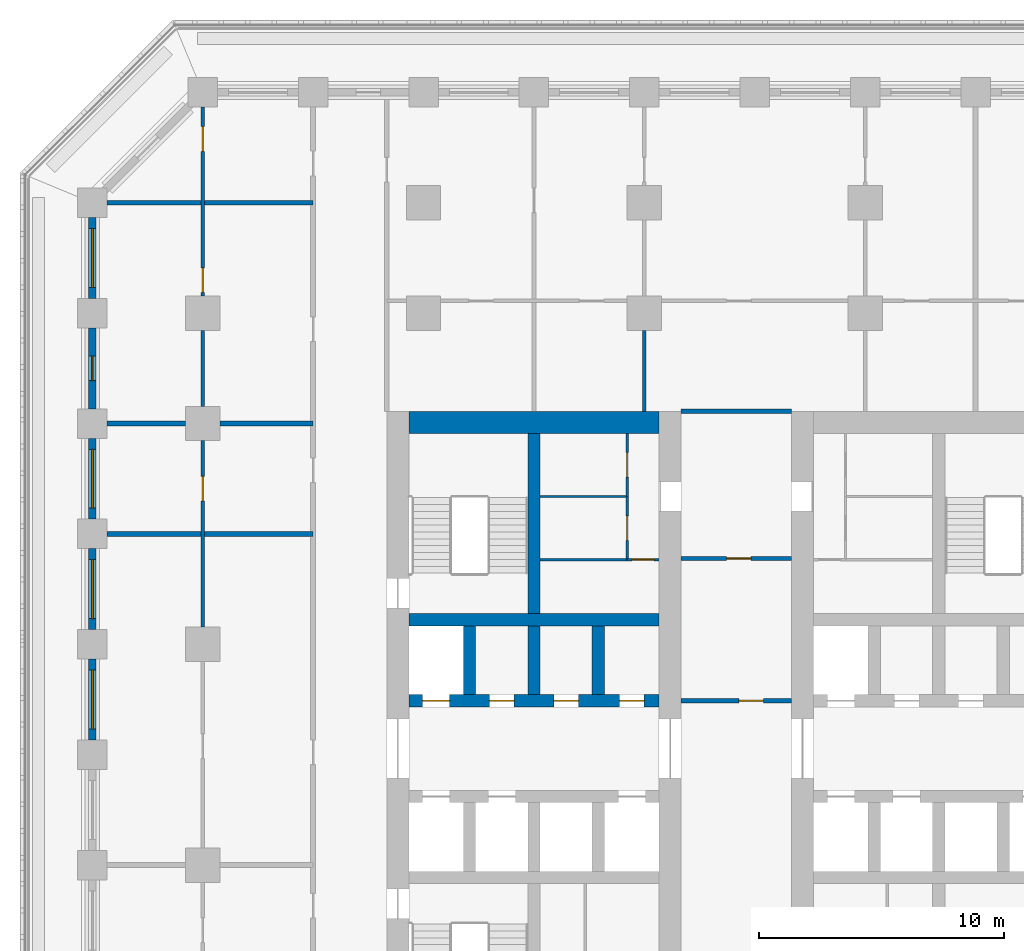
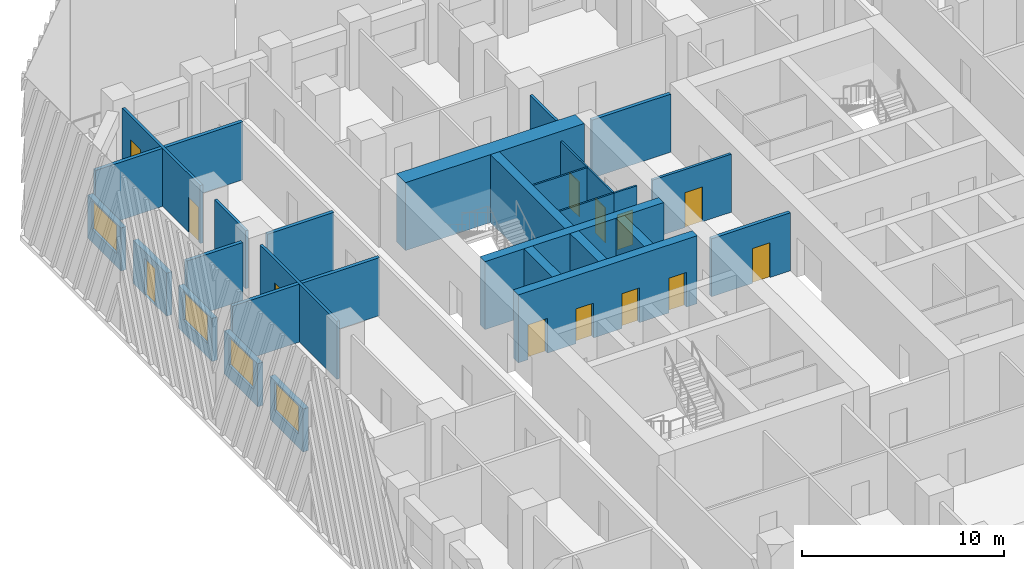
# One storey, part 7 of 20: 28 walls, 13 doors, 4 windows, 17 openings.
"""IFC4 building model written with IfcOpenShell, lengths in metres."""

from ifc_helpers import new_model, si_unit, direction, frame, frame_2d, origin, place, context, subcontext, project, spatial, rectangle, extrude, material, layer, layer_set, type_object, element, fill, save


model = new_model("IFC4")

# Units and contexts
model_context = context("Model", 3, precision=1e-05, world=origin(), true_north=direction((0.0, 1.0)))
body_context = subcontext(model_context, "Body", "Model", "MODEL_VIEW")
ifc_project = project(units=[si_unit("LENGTHUNIT", "METRE"), si_unit("AREAUNIT", "SQUARE_METRE"), si_unit("VOLUMEUNIT", "CUBIC_METRE"), si_unit("PLANEANGLEUNIT", "RADIAN"), si_unit("MASSUNIT", "GRAM", prefix="KILO")], contexts=[model_context])

# Site, building, storey
site_placement = place(None, origin())
site = spatial("IfcSite", under=ifc_project, at=site_placement, CompositionType="ELEMENT")
building_placement = place(site_placement, origin())
building = spatial("IfcBuilding", under=site, at=building_placement, Name="Corbel Stack Research Tower", CompositionType="ELEMENT")
storey_placement = place(building_placement, frame((0.0, 0.0, 106.60009765625)))
storey = spatial("IfcBuildingStorey", under=building, at=storey_placement, Name="L24", CompositionType="ELEMENT", Elevation=106.60009765625)

# Wall, openings, doors
ifc_material_1 = material(Name="Concrete C70/85", Category="concrete")
ifc_layer_1 = layer(ifc_material_1, 0.5)
ifc_layer_set_1 = layer_set([ifc_layer_1], Name="Concrete C70/85")
wall_type_1 = type_object("IfcWallType", Name="CW-500-70", PredefinedType="SHEAR", material=ifc_layer_set_1)
wall_1_placement = place(storey_placement, frame((-9.60009765625, 6.699951171875, 0.0), z_axis=(0.0, 0.0, 1.0), x_axis=(1.0, 0.0, 0.0)))
wall_1 = element("IfcWall", 1, at=wall_1_placement, inside=storey, type_object=wall_type_1, Name="West core wall, lobby north L24", PredefinedType="SHEAR", context=body_context, shape_type="SweptSolid", body=[
    extrude(rectangle(XDim=10.2001953125, YDim=0.5, at=frame_2d((5.10009765625, 0.0))), origin(), (0.0, 0.0, 1.0), 4.099853515625),
])
opening_1_placement = place(wall_1_placement, frame((0.5625, 0.0, 0.0)))
opening_1 = element("IfcOpeningElement", 2, at=opening_1_placement, cuts=wall_1, Name="Opening LD-LR2", PredefinedType="OPENING", context=body_context, shape_type="SweptSolid", body=[
    extrude(rectangle(XDim=1.10009765625, YDim=2.10009765625, at=frame_2d((0.550048828125, 1.050048828125))), frame((0.0, 0.260009765625, 0.0), z_axis=(0.0, -1.0, 0.0), x_axis=(1.0, 0.0, 0.0)), (0.0, 0.0, 1.0), 0.52001953125),
])
opening_2_placement = place(wall_1_placement, frame((3.28759765625, 0.0, 0.0)))
opening_2 = element("IfcOpeningElement", 3, at=opening_2_placement, cuts=wall_1, Name="Opening CR-W24-N2", PredefinedType="OPENING", context=body_context, shape_type="SweptSolid", body=[
    extrude(rectangle(XDim=1.0, YDim=2.10009765625, at=frame_2d((0.5, 1.050048828125))), frame((0.0, 0.260009765625, 0.0), z_axis=(0.0, -1.0, 0.0), x_axis=(1.0, 0.0, 0.0)), (0.0, 0.0, 1.0), 0.52001953125),
])
opening_3_placement = place(wall_1_placement, frame((5.91259765625, 0.0, 0.0)))
opening_3 = element("IfcOpeningElement", 4, at=opening_3_placement, cuts=wall_1, Name="Opening CR-W24-N3", PredefinedType="OPENING", context=body_context, shape_type="SweptSolid", body=[
    extrude(rectangle(XDim=1.0, YDim=2.10009765625, at=frame_2d((0.5, 1.050048828125))), frame((0.0, 0.260009765625, 0.0), z_axis=(0.0, -1.0, 0.0), x_axis=(1.0, 0.0, 0.0)), (0.0, 0.0, 1.0), 0.52001953125),
])
opening_4_placement = place(wall_1_placement, frame((8.58740234375, 0.0, 0.0)))
opening_4 = element("IfcOpeningElement", 5, at=opening_4_placement, cuts=wall_1, Name="Opening CR-W24-N4", PredefinedType="OPENING", context=body_context, shape_type="SweptSolid", body=[
    extrude(rectangle(XDim=1.0, YDim=2.10009765625, at=frame_2d((0.5, 1.050048828125))), frame((0.0, 0.260009765625, 0.0), z_axis=(0.0, -1.0, 0.0), x_axis=(1.0, 0.0, 0.0)), (0.0, 0.0, 1.0), 0.52001953125),
])
ifc_material_2 = material(Name="Stainless steel landing door", Category="steel")
door_type_1 = type_object("IfcDoorType", Name="Lift landing door 1100 x 2100", OperationType="DOUBLE_DOOR_SLIDING", PredefinedType="DOOR", material=ifc_material_2)
door_1_placement = place(opening_1_placement, origin())
door_1 = element("IfcDoor", 6, at=door_1_placement, inside=storey, type_object=door_type_1, Name="Landing door LR2", OperationType="DOUBLE_DOOR_SLIDING", OverallHeight=2.10009765625, OverallWidth=1.10009765625, PredefinedType="DOOR", context=body_context, shape_type="SweptSolid", body=[
    extrude(rectangle(XDim=1.10009765625, YDim=2.10009765625, at=frame_2d((0.550048828125, 1.050048828125))), frame((0.0, 0.02490234375, 0.0), z_axis=(0.0, -1.0, 0.0), x_axis=(1.0, 0.0, 0.0)), (0.0, 0.0, 1.0), 0.050048828125),
])
fill(opening_1, door_1)
ifc_material_3 = material(Name="Painted steel door", Category="steel")
door_type_2 = type_object("IfcDoorType", Name="Service door 1000 x 2100 FD60 left hand", OperationType="SINGLE_SWING_LEFT", PredefinedType="DOOR", material=ifc_material_3)
door_2_placement = place(opening_3_placement, origin())
door_2 = element("IfcDoor", 7, at=door_2_placement, inside=storey, type_object=door_type_2, Name="Electrical room door W core", OperationType="SINGLE_SWING_LEFT", OverallHeight=2.10009765625, OverallWidth=1.0, PredefinedType="DOOR", context=body_context, shape_type="SweptSolid", body=[
    extrude(rectangle(XDim=1.0, YDim=2.10009765625, at=frame_2d((0.5, 1.050048828125))), frame((0.0, 0.02490234375, 0.0), z_axis=(0.0, -1.0, 0.0), x_axis=(1.0, 0.0, 0.0)), (0.0, 0.0, 1.0), 0.050048828125),
])
fill(opening_3, door_2)
ifc_material_4 = material(Name="Painted steel door", Category="steel")
door_type_3 = type_object("IfcDoorType", Name="Service door 1000 x 2100 FD60 right hand", OperationType="SINGLE_SWING_RIGHT", PredefinedType="DOOR", material=ifc_material_4)
door_3_placement = place(opening_2_placement, origin())
door_3 = element("IfcDoor", 8, at=door_3_placement, inside=storey, type_object=door_type_3, Name="Records store door W core", OperationType="SINGLE_SWING_RIGHT", OverallHeight=2.10009765625, OverallWidth=1.0, PredefinedType="DOOR", context=body_context, shape_type="SweptSolid", body=[
    extrude(rectangle(XDim=1.0, YDim=2.10009765625, at=frame_2d((0.5, 1.050048828125))), frame((0.0, 0.02490234375, 0.0), z_axis=(0.0, -1.0, 0.0), x_axis=(1.0, 0.0, 0.0)), (0.0, 0.0, 1.0), 0.050048828125),
])
fill(opening_2, door_3)
door_4_placement = place(opening_4_placement, origin())
door_4 = element("IfcDoor", 9, at=door_4_placement, inside=storey, type_object=door_type_3, Name="Pantry door W core", OperationType="SINGLE_SWING_RIGHT", OverallHeight=2.10009765625, OverallWidth=1.0, PredefinedType="DOOR", context=body_context, shape_type="SweptSolid", body=[
    extrude(rectangle(XDim=1.0, YDim=2.10009765625, at=frame_2d((0.5, 1.050048828125))), frame((0.0, 0.02490234375, 0.0), z_axis=(0.0, -1.0, 0.0), x_axis=(1.0, 0.0, 0.0)), (0.0, 0.0, 1.0), 0.050048828125),
])
fill(opening_4, door_4)

# Walls
wall_2_placement = place(storey_placement, frame((-9.60009765625, 10.0, 0.0), z_axis=(0.0, 0.0, 1.0), x_axis=(1.0, 0.0, 0.0)))
element("IfcWall", 10, at=wall_2_placement, inside=storey, type_object=wall_type_1, Name="West core wall, north row back L24", PredefinedType="SHEAR", context=body_context, shape_type="SweptSolid", body=[
    extrude(rectangle(XDim=10.2001953125, YDim=0.5, at=frame_2d((5.10009765625, 0.0))), origin(), (0.0, 0.0, 1.0), 4.099853515625),
])
for number, where, z_axis, x_axis, name in (
    (11, (-7.125, 6.949951171875, 0.0), (0.0, 0.0, 1.0), (0.0, 1.0, 0.0), "West core wall, north shaft 1 L24"),
    (12, (-4.5, 6.949951171875, 0.0), (0.0, 0.0, 1.0), (0.0, 1.0, 0.0), "West core wall, north shaft 2 L24"),
    (13, (-1.875, 6.949951171875, 0.0), (0.0, 0.0, 1.0), (0.0, 1.0, 0.0), "West core wall, north shaft 3 L24"),
):
    element("IfcWall", number, at=place(storey_placement, frame(where, z_axis=z_axis, x_axis=x_axis)), inside=storey, type_object=wall_type_1, Name=name, PredefinedType="SHEAR", context=body_context, shape_type="SweptSolid", body=[
        extrude(rectangle(XDim=2.800048828125, YDim=0.5, at=frame_2d((1.39990234375, 0.0))), origin(), (0.0, 0.0, 1.0), 4.099853515625),
    ])
wall_3_placement = place(storey_placement, frame((-4.5, 10.25, 0.0), z_axis=(0.0, 0.0, 1.0), x_axis=(0.0, 1.0, 0.0)))
element("IfcWall", 14, at=wall_3_placement, inside=storey, type_object=wall_type_1, Name="West core wall, north stair and riser L24", PredefinedType="SHEAR", context=body_context, shape_type="SweptSolid", body=[
    extrude(rectangle(XDim=7.35009765625, YDim=0.5, at=frame_2d((3.675048828125, 0.0))), origin(), (0.0, 0.0, 1.0), 4.099853515625),
])
ifc_material_5 = material(Name="Concrete C70/85", Category="concrete")
ifc_layer_2 = layer(ifc_material_5, 0.89990234375)
ifc_layer_set_2 = layer_set([ifc_layer_2], Name="Concrete C70/85")
wall_type_2 = type_object("IfcWallType", Name="CW-900-70", PredefinedType="SHEAR", material=ifc_layer_set_2)
wall_4_placement = place(storey_placement, frame((-9.60009765625, 18.050048828125, 0.0), z_axis=(0.0, 0.0, 1.0), x_axis=(1.0, 0.0, 0.0)))
element("IfcWall", 15, at=wall_4_placement, inside=storey, type_object=wall_type_2, Name="West core wall, north end L24", PredefinedType="SHEAR", context=body_context, shape_type="SweptSolid", body=[
    extrude(rectangle(XDim=10.2001953125, YDim=0.89990234375, at=frame_2d((5.10009765625, 0.0))), origin(), (0.0, 0.0, 1.0), 4.099853515625),
])

# Wall, opening, door
ifc_material_6 = material(Name="Gypsum board")
ifc_layer_3 = layer(ifc_material_6, 0.10009765625)
ifc_layer_set_3 = layer_set([ifc_layer_3], Name="Gypsum board")
wall_type_3 = type_object("IfcWallType", Name="Core partition 100", PredefinedType="PARTITIONING", material=ifc_layer_set_3)
wall_5_placement = place(storey_placement, frame((-0.699951171875, 12.455078125, 0.0), z_axis=(0.0, 0.0, 1.0), x_axis=(1.0, 0.0, 0.0)))
wall_5 = element("IfcWall", 16, at=wall_5_placement, inside=storey, type_object=wall_type_3, Name="Core partition W", PredefinedType="PARTITIONING", context=body_context, shape_type="SweptSolid", body=[
    extrude(rectangle(XDim=1.300048828125, YDim=0.10009765625, at=frame_2d((0.64990234375, 0.0))), origin(), (0.0, 0.0, 1.0), 3.5),
])
opening_5_placement = place(wall_5_placement, frame((0.199951171875, 0.0, 0.0)))
opening_5 = element("IfcOpeningElement", 17, at=opening_5_placement, cuts=wall_5, Name="Opening CR-W24-R1-900", PredefinedType="OPENING", context=body_context, shape_type="SweptSolid", body=[
    extrude(rectangle(XDim=0.89990234375, YDim=2.10009765625, at=frame_2d((0.449951171875, 1.050048828125))), frame((0.0, 0.06005859375, 0.0), z_axis=(0.0, -1.0, 0.0), x_axis=(1.0, 0.0, 0.0)), (0.0, 0.0, 1.0), 0.1201171875),
])
ifc_material_7 = material(Name="Painted steel door", Category="steel")
door_type_4 = type_object("IfcDoorType", Name="Riser door 900 x 2100 FD60 left hand", OperationType="SINGLE_SWING_LEFT", PredefinedType="DOOR", material=ifc_material_7)
door_5_placement = place(opening_5_placement, origin())
door_5 = element("IfcDoor", 18, at=door_5_placement, inside=storey, type_object=door_type_4, Name="Electrical riser door W core", OperationType="SINGLE_SWING_LEFT", OverallHeight=2.10009765625, OverallWidth=0.89990234375, PredefinedType="DOOR", context=body_context, shape_type="SweptSolid", body=[
    extrude(rectangle(XDim=0.89990234375, YDim=2.10009765625, at=frame_2d((0.449951171875, 1.050048828125))), frame((0.0, 0.02490234375, 0.0), z_axis=(0.0, -1.0, 0.0), x_axis=(1.0, 0.0, 0.0)), (0.0, 0.0, 1.0), 0.050048828125),
])
fill(opening_5, door_5)

# Wall
wall_6_placement = place(storey_placement, frame((-4.25, 12.455078125, 0.0), z_axis=(0.0, 0.0, 1.0), x_axis=(1.0, 0.0, 0.0)))
element("IfcWall", 19, at=wall_6_placement, inside=storey, type_object=wall_type_3, Name="Core partition W", PredefinedType="PARTITIONING", context=body_context, shape_type="SweptSolid", body=[
    extrude(rectangle(XDim=3.550048828125, YDim=0.10009765625, at=frame_2d((1.77490234375, 0.0))), origin(), (0.0, 0.0, 1.0), 3.5),
])

# Wall, opening, door
wall_7_placement = place(storey_placement, frame((-0.699951171875, 12.455078125, 0.0), z_axis=(0.0, 0.0, 1.0), x_axis=(0.0, 1.0, 0.0)))
wall_7 = element("IfcWall", 20, at=wall_7_placement, inside=storey, type_object=wall_type_3, Name="Core partition W", PredefinedType="PARTITIONING", context=body_context, shape_type="SweptSolid", body=[
    extrude(rectangle(XDim=2.572509765625, YDim=0.10009765625, at=frame_2d((1.2861328125, 0.0))), origin(), (0.0, 0.0, 1.0), 3.5),
])
opening_6_placement = place(wall_7_placement, frame((0.786376953125, 0.0, 0.0)))
opening_6 = element("IfcOpeningElement", 21, at=opening_6_placement, cuts=wall_7, Name="Opening CR-W24-R3-1000", PredefinedType="OPENING", context=body_context, shape_type="SweptSolid", body=[
    extrude(rectangle(XDim=1.0, YDim=2.10009765625, at=frame_2d((0.5, 1.050048828125))), frame((0.0, 0.06005859375, 0.0), z_axis=(0.0, -1.0, 0.0), x_axis=(1.0, 0.0, 0.0)), (0.0, 0.0, 1.0), 0.1201171875),
])
ifc_material_8 = material(Name="Painted steel door", Category="steel")
door_type_5 = type_object("IfcDoorType", Name="Service door 1000 x 2100 FD30 left hand", OperationType="SINGLE_SWING_LEFT", PredefinedType="DOOR", material=ifc_material_8)
door_6_placement = place(opening_6_placement, origin())
door_6 = element("IfcDoor", 22, at=door_6_placement, inside=storey, type_object=door_type_5, Name="Pantry door W core", OperationType="SINGLE_SWING_LEFT", OverallHeight=2.10009765625, OverallWidth=1.0, PredefinedType="DOOR", context=body_context, shape_type="SweptSolid", body=[
    extrude(rectangle(XDim=1.0, YDim=2.10009765625, at=frame_2d((0.5, 1.050048828125))), frame((0.0, 0.02490234375, 0.0), z_axis=(0.0, -1.0, 0.0), x_axis=(1.0, 0.0, 0.0)), (0.0, 0.0, 1.0), 0.050048828125),
])
fill(opening_6, door_6)

wall_8_placement = place(storey_placement, frame((-0.699951171875, 15.027587890625, 0.0), z_axis=(0.0, 0.0, 1.0), x_axis=(0.0, 1.0, 0.0)))
wall_8 = element("IfcWall", 23, at=wall_8_placement, inside=storey, type_object=wall_type_3, Name="Core partition W", PredefinedType="PARTITIONING", context=body_context, shape_type="SweptSolid", body=[
    extrude(rectangle(XDim=2.572509765625, YDim=0.10009765625, at=frame_2d((1.2861328125, 0.0))), origin(), (0.0, 0.0, 1.0), 3.5),
])
opening_7_placement = place(wall_8_placement, frame((0.7861328125, 0.0, 0.0)))
opening_7 = element("IfcOpeningElement", 24, at=opening_7_placement, cuts=wall_8, Name="Opening CR-W24-R4-1000", PredefinedType="OPENING", context=body_context, shape_type="SweptSolid", body=[
    extrude(rectangle(XDim=1.0, YDim=2.10009765625, at=frame_2d((0.5, 1.050048828125))), frame((0.0, 0.06005859375, 0.0), z_axis=(0.0, -1.0, 0.0), x_axis=(1.0, 0.0, 0.0)), (0.0, 0.0, 1.0), 0.1201171875),
])
ifc_material_9 = material(Name="Painted steel door", Category="steel")
door_type_6 = type_object("IfcDoorType", Name="Service door 1000 x 2100 FD30 right hand", OperationType="SINGLE_SWING_RIGHT", PredefinedType="DOOR", material=ifc_material_9)
door_7_placement = place(opening_7_placement, origin())
door_7 = element("IfcDoor", 25, at=door_7_placement, inside=storey, type_object=door_type_6, Name="Copy and supply store door W core", OperationType="SINGLE_SWING_RIGHT", OverallHeight=2.10009765625, OverallWidth=1.0, PredefinedType="DOOR", context=body_context, shape_type="SweptSolid", body=[
    extrude(rectangle(XDim=1.0, YDim=2.10009765625, at=frame_2d((0.5, 1.050048828125))), frame((0.0, 0.02490234375, 0.0), z_axis=(0.0, -1.0, 0.0), x_axis=(1.0, 0.0, 0.0)), (0.0, 0.0, 1.0), 0.050048828125),
])
fill(opening_7, door_7)

# Wall
wall_9_placement = place(storey_placement, frame((-4.25, 15.027587890625, 0.0), z_axis=(0.0, 0.0, 1.0), x_axis=(1.0, 0.0, 0.0)))
element("IfcWall", 26, at=wall_9_placement, inside=storey, type_object=wall_type_3, Name="Core partition W", PredefinedType="PARTITIONING", context=body_context, shape_type="SweptSolid", body=[
    extrude(rectangle(XDim=3.550048828125, YDim=0.10009765625, at=frame_2d((1.77490234375, 0.0))), origin(), (0.0, 0.0, 1.0), 3.5),
])

# Wall, opening, door
ifc_material_10 = material(Name="Fire-rated gypsum board partition on steel studs", Category="steel")
ifc_layer_4 = layer(ifc_material_10, 0.199951171875)
ifc_layer_set_4 = layer_set([ifc_layer_4], Name="Fire-rated gypsum board partition on steel studs")
wall_type_4 = type_object("IfcWallType", Name="Fire-rated partition 200 EI 60", PredefinedType="PARTITIONING", material=ifc_layer_set_4)
wall_10_placement = place(storey_placement, frame((1.5, 6.699951171875, 0.0), z_axis=(0.0, 0.0, 1.0), x_axis=(1.0, 0.0, 0.0)))
wall_10 = element("IfcWall", 27, at=wall_10_placement, inside=storey, type_object=wall_type_4, Name="Partition L24-045", PredefinedType="PARTITIONING", context=body_context, shape_type="SweptSolid", body=[
    extrude(rectangle(XDim=4.5, YDim=0.199951171875, at=frame_2d((2.25, 0.0))), origin(), (0.0, 0.0, 1.0), 3.5),
])
opening_8_placement = place(wall_10_placement, frame((2.35009765625, 0.0, 0.0)))
opening_8 = element("IfcOpeningElement", 28, at=opening_8_placement, cuts=wall_10, Name="Opening B3V2-028", PredefinedType="OPENING", context=body_context, shape_type="SweptSolid", body=[
    extrude(rectangle(XDim=1.0, YDim=2.10009765625, at=frame_2d((0.5, 1.050048828125))), frame((0.0, 0.10986328125, 0.0), z_axis=(0.0, -1.0, 0.0), x_axis=(1.0, 0.0, 0.0)), (0.0, 0.0, 1.0), 0.219970703125),
])
ifc_material_11 = material(Name="Painted steel fire door", Category="steel")
door_type_7 = type_object("IfcDoorType", Name="Fire door FD30S 1000 x 2100", OperationType="NOTDEFINED", PredefinedType="DOOR", material=ifc_material_11)
door_8_placement = place(opening_8_placement, origin())
door_8 = element("IfcDoor", 29, at=door_8_placement, inside=storey, type_object=door_type_7, Name="Door B3V2-028", OperationType="SINGLE_SWING_RIGHT", OverallHeight=2.10009765625, OverallWidth=1.0, PredefinedType="DOOR", context=body_context, shape_type="SweptSolid", body=[
    extrude(rectangle(XDim=1.0, YDim=2.10009765625, at=frame_2d((0.5, 1.050048828125))), frame((0.0, 0.02490234375, 0.0), z_axis=(0.0, -1.0, 0.0), x_axis=(1.0, 0.0, 0.0)), (0.0, 0.0, 1.0), 0.050048828125),
])
fill(opening_8, door_8)

# Walls
wall_11_placement = place(storey_placement, frame((-21.89990234375, 13.5, 0.0), z_axis=(0.0, 0.0, 1.0), x_axis=(1.0, 0.0, 0.0)))
element("IfcWall", 30, at=wall_11_placement, inside=storey, type_object=wall_type_4, Name="Partition L24-047", PredefinedType="PARTITIONING", context=body_context, shape_type="SweptSolid", body=[
    extrude(rectangle(XDim=8.39990234375, YDim=0.199951171875, at=frame_2d((4.199951171875, 0.0))), origin(), (0.0, 0.0, 1.0), 3.5),
])
wall_12_placement = place(storey_placement, frame((-21.89990234375, 18.0, 0.0), z_axis=(0.0, 0.0, 1.0), x_axis=(1.0, 0.0, 0.0)))
element("IfcWall", 31, at=wall_12_placement, inside=storey, type_object=wall_type_4, Name="Partition L24-049", PredefinedType="PARTITIONING", context=body_context, shape_type="SweptSolid", body=[
    extrude(rectangle(XDim=3.199951171875, YDim=0.199951171875, at=frame_2d((1.60009765625, 0.0))), origin(), (0.0, 0.0, 1.0), 3.5),
])
wall_13_placement = place(storey_placement, frame((-17.300048828125, 18.0, 0.0), z_axis=(0.0, 0.0, 1.0), x_axis=(1.0, 0.0, 0.0)))
element("IfcWall", 32, at=wall_13_placement, inside=storey, type_object=wall_type_4, Name="Partition L24-050", PredefinedType="PARTITIONING", context=body_context, shape_type="SweptSolid", body=[
    extrude(rectangle(XDim=3.800048828125, YDim=0.199951171875, at=frame_2d((1.89990234375, 0.0))), origin(), (0.0, 0.0, 1.0), 3.5),
])
wall_14_placement = place(storey_placement, frame((1.5, 18.5, 0.0), z_axis=(0.0, 0.0, 1.0), x_axis=(1.0, 0.0, 0.0)))
element("IfcWall", 33, at=wall_14_placement, inside=storey, type_object=wall_type_4, Name="Partition L24-054", PredefinedType="PARTITIONING", context=body_context, shape_type="SweptSolid", body=[
    extrude(rectangle(XDim=4.5, YDim=0.199951171875, at=frame_2d((2.25, 0.0))), origin(), (0.0, 0.0, 1.0), 3.5),
])
wall_15_placement = place(storey_placement, frame((-21.89990234375, 27.0, 0.0), z_axis=(0.0, 0.0, 1.0), x_axis=(1.0, 0.0, 0.0)))
element("IfcWall", 34, at=wall_15_placement, inside=storey, type_object=wall_type_4, Name="Partition L24-059", PredefinedType="PARTITIONING", context=body_context, shape_type="SweptSolid", body=[
    extrude(rectangle(XDim=8.39990234375, YDim=0.199951171875, at=frame_2d((4.199951171875, 0.0))), origin(), (0.0, 0.0, 1.0), 3.5),
])

# Wall, opening, door
ifc_material_12 = material(Name="Gypsum board partition on steel studs", Category="steel")
ifc_layer_5 = layer(ifc_material_12, 0.14990234375)
ifc_layer_set_5 = layer_set([ifc_layer_5], Name="Gypsum board partition on steel studs")
wall_type_5 = type_object("IfcWallType", Name="Partition 150", PredefinedType="PARTITIONING", material=ifc_layer_set_5)
wall_16_placement = place(storey_placement, frame((-18.0, 9.699951171875, 0.0), z_axis=(0.0, 0.0, 1.0), x_axis=(0.0, 1.0, 0.0)))
wall_16 = element("IfcWall", 35, at=wall_16_placement, inside=storey, type_object=wall_type_5, Name="Partition L24-004", PredefinedType="PARTITIONING", context=body_context, shape_type="SweptSolid", body=[
    extrude(rectangle(XDim=7.60009765625, YDim=0.14990234375, at=frame_2d((3.800048828125, 0.0))), origin(), (0.0, 0.0, 1.0), 3.5),
])
opening_9_placement = place(wall_16_placement, frame((5.14990234375, 0.0, 0.0)))
opening_9 = element("IfcOpeningElement", 36, at=opening_9_placement, cuts=wall_16, Name="Opening B3V2-006", PredefinedType="OPENING", context=body_context, shape_type="SweptSolid", body=[
    extrude(rectangle(XDim=1.0, YDim=2.10009765625, at=frame_2d((0.5, 1.050048828125))), frame((0.0, 0.0849609375, 0.0), z_axis=(0.0, -1.0, 0.0), x_axis=(1.0, 0.0, 0.0)), (0.0, 0.0, 1.0), 0.169921875),
])
ifc_material_13 = material(Name="Painted timber door", Category="wood")
door_type_8 = type_object("IfcDoorType", Name="Single door 1000 x 2100", OperationType="NOTDEFINED", PredefinedType="DOOR", material=ifc_material_13)
door_9_placement = place(opening_9_placement, origin())
door_9 = element("IfcDoor", 37, at=door_9_placement, inside=storey, type_object=door_type_8, Name="Door B3V2-006", OperationType="SINGLE_SWING_RIGHT", OverallHeight=2.10009765625, OverallWidth=1.0, PredefinedType="DOOR", context=body_context, shape_type="SweptSolid", body=[
    extrude(rectangle(XDim=1.0, YDim=2.10009765625, at=frame_2d((0.5, 1.050048828125))), frame((0.0, 0.02490234375, 0.0), z_axis=(0.0, -1.0, 0.0), x_axis=(1.0, 0.0, 0.0)), (0.0, 0.0, 1.0), 0.050048828125),
])
fill(opening_9, door_9)

# Wall
wall_17_placement = place(storey_placement, frame((-18.0, 18.699951171875, 0.0), z_axis=(0.0, 0.0, 1.0), x_axis=(0.0, 1.0, 0.0)))
element("IfcWall", 38, at=wall_17_placement, inside=storey, type_object=wall_type_5, Name="Partition L24-005", PredefinedType="PARTITIONING", context=body_context, shape_type="SweptSolid", body=[
    extrude(rectangle(XDim=3.10009765625, YDim=0.14990234375, at=frame_2d((1.550048828125, 0.0))), origin(), (0.0, 0.0, 1.0), 3.5),
])

# Wall, openings, doors
wall_18_placement = place(storey_placement, frame((-18.0, 23.199951171875, 0.0), z_axis=(0.0, 0.0, 1.0), x_axis=(0.0, 1.0, 0.0)))
wall_18 = element("IfcWall", 39, at=wall_18_placement, inside=storey, type_object=wall_type_5, Name="Partition L24-006", PredefinedType="PARTITIONING", context=body_context, shape_type="SweptSolid", body=[
    extrude(rectangle(XDim=7.699951171875, YDim=0.14990234375, at=frame_2d((3.85009765625, 0.0))), origin(), (0.0, 0.0, 1.0), 3.5),
])
opening_10_placement = place(wall_18_placement, frame((0.14990234375, 0.0, 0.0)))
opening_10 = element("IfcOpeningElement", 40, at=opening_10_placement, cuts=wall_18, Name="Opening B3V2-007", PredefinedType="OPENING", context=body_context, shape_type="SweptSolid", body=[
    extrude(rectangle(XDim=1.0, YDim=2.10009765625, at=frame_2d((0.5, 1.050048828125))), frame((0.0, 0.0849609375, 0.0), z_axis=(0.0, -1.0, 0.0), x_axis=(1.0, 0.0, 0.0)), (0.0, 0.0, 1.0), 0.169921875),
])
opening_11_placement = place(wall_18_placement, frame((5.89990234375, 0.0, 0.0)))
opening_11 = element("IfcOpeningElement", 41, at=opening_11_placement, cuts=wall_18, Name="Opening B3V2-008", PredefinedType="OPENING", context=body_context, shape_type="SweptSolid", body=[
    extrude(rectangle(XDim=1.0, YDim=2.10009765625, at=frame_2d((0.5, 1.050048828125))), frame((0.0, 0.0849609375, 0.0), z_axis=(0.0, -1.0, 0.0), x_axis=(1.0, 0.0, 0.0)), (0.0, 0.0, 1.0), 0.169921875),
])
door_10_placement = place(opening_10_placement, origin())
door_10 = element("IfcDoor", 42, at=door_10_placement, inside=storey, type_object=door_type_8, Name="Door B3V2-007", OperationType="SINGLE_SWING_LEFT", OverallHeight=2.10009765625, OverallWidth=1.0, PredefinedType="DOOR", context=body_context, shape_type="SweptSolid", body=[
    extrude(rectangle(XDim=1.0, YDim=2.10009765625, at=frame_2d((0.5, 1.050048828125))), frame((0.0, 0.02490234375, 0.0), z_axis=(0.0, -1.0, 0.0), x_axis=(1.0, 0.0, 0.0)), (0.0, 0.0, 1.0), 0.050048828125),
])
fill(opening_10, door_10)
door_11_placement = place(opening_11_placement, origin())
door_11 = element("IfcDoor", 43, at=door_11_placement, inside=storey, type_object=door_type_8, Name="Door B3V2-008", OperationType="SINGLE_SWING_RIGHT", OverallHeight=2.10009765625, OverallWidth=1.0, PredefinedType="DOOR", context=body_context, shape_type="SweptSolid", body=[
    extrude(rectangle(XDim=1.0, YDim=2.10009765625, at=frame_2d((0.5, 1.050048828125))), frame((0.0, 0.02490234375, 0.0), z_axis=(0.0, -1.0, 0.0), x_axis=(1.0, 0.0, 0.0)), (0.0, 0.0, 1.0), 0.050048828125),
])
fill(opening_11, door_11)

# Wall
wall_19_placement = place(storey_placement, frame((0.0, 18.5, 0.0), z_axis=(0.0, 0.0, 1.0), x_axis=(0.0, 1.0, 0.0)))
element("IfcWall", 44, at=wall_19_placement, inside=storey, type_object=wall_type_5, Name="Partition L24-012", PredefinedType="PARTITIONING", context=body_context, shape_type="SweptSolid", body=[
    extrude(rectangle(XDim=3.300048828125, YDim=0.14990234375, at=frame_2d((1.64990234375, 0.0))), origin(), (0.0, 0.0, 1.0), 3.5),
])

# Wall, opening, door
wall_20_placement = place(storey_placement, frame((1.5, 12.5, 0.0), z_axis=(0.0, 0.0, 1.0), x_axis=(1.0, 0.0, 0.0)))
wall_20 = element("IfcWall", 45, at=wall_20_placement, inside=storey, type_object=wall_type_5, Name="Partition L24-046", PredefinedType="PARTITIONING", context=body_context, shape_type="SweptSolid", body=[
    extrude(rectangle(XDim=4.5, YDim=0.14990234375, at=frame_2d((2.25, 0.0))), origin(), (0.0, 0.0, 1.0), 3.5),
])
opening_12_placement = place(wall_20_placement, frame((1.85009765625, 0.0, 0.0)))
opening_12 = element("IfcOpeningElement", 46, at=opening_12_placement, cuts=wall_20, Name="Opening B3V2-031", PredefinedType="OPENING", context=body_context, shape_type="SweptSolid", body=[
    extrude(rectangle(XDim=1.0, YDim=2.10009765625, at=frame_2d((0.5, 1.050048828125))), frame((0.0, 0.0849609375, 0.0), z_axis=(0.0, -1.0, 0.0), x_axis=(1.0, 0.0, 0.0)), (0.0, 0.0, 1.0), 0.169921875),
])
door_12_placement = place(opening_12_placement, origin())
door_12 = element("IfcDoor", 47, at=door_12_placement, inside=storey, type_object=door_type_8, Name="Door B3V2-031", OperationType="SINGLE_SWING_RIGHT", OverallHeight=2.10009765625, OverallWidth=1.0, PredefinedType="DOOR", context=body_context, shape_type="SweptSolid", body=[
    extrude(rectangle(XDim=1.0, YDim=2.10009765625, at=frame_2d((0.5, 1.050048828125))), frame((0.0, 0.02490234375, 0.0), z_axis=(0.0, -1.0, 0.0), x_axis=(1.0, 0.0, 0.0)), (0.0, 0.0, 1.0), 0.050048828125),
])
fill(opening_12, door_12)

# Wall, opening, window
ifc_material_14 = material(Name="Concrete C45/55", Category="concrete")
ifc_layer_6 = layer(ifc_material_14, 0.300048828125)
ifc_layer_set_6 = layer_set([ifc_layer_6], Name="Concrete C45/55")
wall_type_6 = type_object("IfcWallType", Name="Terracotta-faced concrete wall 300", PredefinedType="SOLIDWALL", material=ifc_layer_set_6)
wall_21_placement = place(storey_placement, frame((-22.5, 23.10009765625, 0.0), z_axis=(0.0, 0.0, 1.0), x_axis=(0.0, 1.0, 0.0)))
wall_21 = element("IfcWall", 48, at=wall_21_placement, inside=storey, type_object=wall_type_6, Name="Facade wall L24 W01", PredefinedType="SOLIDWALL", context=body_context, shape_type="SweptSolid", body=[
    extrude(rectangle(XDim=3.2998046875, YDim=0.300048828125, at=frame_2d((1.64990234375, 0.0))), origin(), (0.0, 0.0, 1.0), 2.599853515625),
])
opening_13_placement = place(wall_21_placement, frame((0.449951171875, 0.0, 0.800048828125)))
opening_13 = element("IfcOpeningElement", 49, at=opening_13_placement, cuts=wall_21, Name="Opening W1", PredefinedType="OPENING", context=body_context, shape_type="SweptSolid", body=[
    extrude(rectangle(XDim=2.39990234375, YDim=1.699951171875, at=frame_2d((1.199951171875, 0.85009765625))), frame((0.0, 0.159912109375, 0.0), z_axis=(0.0, -1.0, 0.0), x_axis=(1.0, 0.0, 0.0)), (0.0, 0.0, 1.0), 0.320068359375),
])
ifc_material_15 = material(Name="Aluminium frame, clear double glazing", Category="aluminium")
window_type = type_object("IfcWindowType", Name="Window W1 2400 x 1700", PartitioningType="SINGLE_PANEL", PredefinedType="WINDOW", material=ifc_material_15)
window_1_placement = place(opening_13_placement, origin())
window_1 = element("IfcWindow", 50, at=window_1_placement, inside=storey, type_object=window_type, Name="Window W1 L24 W01", OverallHeight=1.699951171875, OverallWidth=2.39990234375, PartitioningType="SINGLE_PANEL", PredefinedType="WINDOW", context=body_context, shape_type="SweptSolid", body=[
    extrude(rectangle(XDim=2.39990234375, YDim=1.699951171875, at=frame_2d((1.199951171875, 0.85009765625))), frame((0.0, 0.030029296875, 0.0), z_axis=(0.0, -1.0, 0.0), x_axis=(1.0, 0.0, 0.0)), (0.0, 0.0, 1.0), 0.06005859375),
])
fill(opening_13, window_1)

# Wall, opening, door
wall_22_placement = place(storey_placement, frame((-22.5, 18.60009765625, 0.0), z_axis=(0.0, 0.0, 1.0), x_axis=(0.0, 1.0, 0.0)))
wall_22 = element("IfcWall", 51, at=wall_22_placement, inside=storey, type_object=wall_type_6, Name="Facade wall L24 W02", PredefinedType="SOLIDWALL", context=body_context, shape_type="SweptSolid", body=[
    extrude(rectangle(XDim=3.2998046875, YDim=0.300048828125, at=frame_2d((1.64990234375, 0.0))), origin(), (0.0, 0.0, 1.0), 2.599853515625),
])
opening_14_placement = place(wall_22_placement, frame((1.14990234375, 0.0, 0.0)))
opening_14 = element("IfcOpeningElement", 52, at=opening_14_placement, cuts=wall_22, Name="Opening L24-B10", PredefinedType="OPENING", context=body_context, shape_type="SweptSolid", body=[
    extrude(rectangle(XDim=1.0, YDim=2.199951171875, at=frame_2d((0.5, 1.10009765625))), frame((0.0, 0.159912109375, 0.0), z_axis=(0.0, -1.0, 0.0), x_axis=(1.0, 0.0, 0.0)), (0.0, 0.0, 1.0), 0.320068359375),
])
ifc_material_16 = material(Name="Aluminium frame, clear double glazing", Category="aluminium")
door_type_9 = type_object("IfcDoorType", Name="Balcony door BD1 1000 x 2200", OperationType="NOTDEFINED", PredefinedType="DOOR", material=ifc_material_16)
door_13_placement = place(opening_14_placement, origin())
door_13 = element("IfcDoor", 53, at=door_13_placement, inside=storey, type_object=door_type_9, Name="Balcony door L24-B10", OperationType="SINGLE_SWING_RIGHT", OverallHeight=2.199951171875, OverallWidth=1.0, PredefinedType="DOOR", context=body_context, shape_type="SweptSolid", body=[
    extrude(rectangle(XDim=1.0, YDim=2.199951171875, at=frame_2d((0.5, 1.10009765625))), frame((0.0, 0.02490234375, 0.0), z_axis=(0.0, -1.0, 0.0), x_axis=(1.0, 0.0, 0.0)), (0.0, 0.0, 1.0), 0.050048828125),
])
fill(opening_14, door_13)

# Wall, opening, window
wall_23_placement = place(storey_placement, frame((-22.5, 14.10009765625, 0.0), z_axis=(0.0, 0.0, 1.0), x_axis=(0.0, 1.0, 0.0)))
wall_23 = element("IfcWall", 54, at=wall_23_placement, inside=storey, type_object=wall_type_6, Name="Facade wall L24 W03", PredefinedType="SOLIDWALL", context=body_context, shape_type="SweptSolid", body=[
    extrude(rectangle(XDim=3.2998046875, YDim=0.300048828125, at=frame_2d((1.64990234375, 0.0))), origin(), (0.0, 0.0, 1.0), 2.599853515625),
])
opening_15_placement = place(wall_23_placement, frame((0.449951171875, 0.0, 0.800048828125)))
opening_15 = element("IfcOpeningElement", 55, at=opening_15_placement, cuts=wall_23, Name="Opening W1", PredefinedType="OPENING", context=body_context, shape_type="SweptSolid", body=[
    extrude(rectangle(XDim=2.39990234375, YDim=1.699951171875, at=frame_2d((1.199951171875, 0.85009765625))), frame((0.0, 0.159912109375, 0.0), z_axis=(0.0, -1.0, 0.0), x_axis=(1.0, 0.0, 0.0)), (0.0, 0.0, 1.0), 0.320068359375),
])
window_2_placement = place(opening_15_placement, origin())
window_2 = element("IfcWindow", 56, at=window_2_placement, inside=storey, type_object=window_type, Name="Window W1 L24 W03", OverallHeight=1.699951171875, OverallWidth=2.39990234375, PartitioningType="SINGLE_PANEL", PredefinedType="WINDOW", context=body_context, shape_type="SweptSolid", body=[
    extrude(rectangle(XDim=2.39990234375, YDim=1.699951171875, at=frame_2d((1.199951171875, 0.85009765625))), frame((0.0, 0.030029296875, 0.0), z_axis=(0.0, -1.0, 0.0), x_axis=(1.0, 0.0, 0.0)), (0.0, 0.0, 1.0), 0.06005859375),
])
fill(opening_15, window_2)

wall_24_placement = place(storey_placement, frame((-22.5, 9.60009765625, 0.0), z_axis=(0.0, 0.0, 1.0), x_axis=(0.0, 1.0, 0.0)))
wall_24 = element("IfcWall", 57, at=wall_24_placement, inside=storey, type_object=wall_type_6, Name="Facade wall L24 W04", PredefinedType="SOLIDWALL", context=body_context, shape_type="SweptSolid", body=[
    extrude(rectangle(XDim=3.2998046875, YDim=0.300048828125, at=frame_2d((1.64990234375, 0.0))), origin(), (0.0, 0.0, 1.0), 2.599853515625),
])
opening_16_placement = place(wall_24_placement, frame((0.449951171875, 0.0, 0.800048828125)))
opening_16 = element("IfcOpeningElement", 58, at=opening_16_placement, cuts=wall_24, Name="Opening W1", PredefinedType="OPENING", context=body_context, shape_type="SweptSolid", body=[
    extrude(rectangle(XDim=2.39990234375, YDim=1.699951171875, at=frame_2d((1.199951171875, 0.85009765625))), frame((0.0, 0.159912109375, 0.0), z_axis=(0.0, -1.0, 0.0), x_axis=(1.0, 0.0, 0.0)), (0.0, 0.0, 1.0), 0.320068359375),
])
window_3_placement = place(opening_16_placement, origin())
window_3 = element("IfcWindow", 59, at=window_3_placement, inside=storey, type_object=window_type, Name="Window W1 L24 W04", OverallHeight=1.699951171875, OverallWidth=2.39990234375, PartitioningType="SINGLE_PANEL", PredefinedType="WINDOW", context=body_context, shape_type="SweptSolid", body=[
    extrude(rectangle(XDim=2.39990234375, YDim=1.699951171875, at=frame_2d((1.199951171875, 0.85009765625))), frame((0.0, 0.030029296875, 0.0), z_axis=(0.0, -1.0, 0.0), x_axis=(1.0, 0.0, 0.0)), (0.0, 0.0, 1.0), 0.06005859375),
])
fill(opening_16, window_3)

wall_25_placement = place(storey_placement, frame((-22.5, 5.10009765625, 0.0), z_axis=(0.0, 0.0, 1.0), x_axis=(0.0, 1.0, 0.0)))
wall_25 = element("IfcWall", 60, at=wall_25_placement, inside=storey, type_object=wall_type_6, Name="Facade wall L24 W05", PredefinedType="SOLIDWALL", context=body_context, shape_type="SweptSolid", body=[
    extrude(rectangle(XDim=3.2998046875, YDim=0.300048828125, at=frame_2d((1.64990234375, 0.0))), origin(), (0.0, 0.0, 1.0), 2.599853515625),
])
opening_17_placement = place(wall_25_placement, frame((0.449951171875, 0.0, 0.800048828125)))
opening_17 = element("IfcOpeningElement", 61, at=opening_17_placement, cuts=wall_25, Name="Opening W1", PredefinedType="OPENING", context=body_context, shape_type="SweptSolid", body=[
    extrude(rectangle(XDim=2.39990234375, YDim=1.699951171875, at=frame_2d((1.199951171875, 0.85009765625))), frame((0.0, 0.159912109375, 0.0), z_axis=(0.0, -1.0, 0.0), x_axis=(1.0, 0.0, 0.0)), (0.0, 0.0, 1.0), 0.320068359375),
])
window_4_placement = place(opening_17_placement, origin())
window_4 = element("IfcWindow", 62, at=window_4_placement, inside=storey, type_object=window_type, Name="Window W1 L24 W05", OverallHeight=1.699951171875, OverallWidth=2.39990234375, PartitioningType="SINGLE_PANEL", PredefinedType="WINDOW", context=body_context, shape_type="SweptSolid", body=[
    extrude(rectangle(XDim=2.39990234375, YDim=1.699951171875, at=frame_2d((1.199951171875, 0.85009765625))), frame((0.0, 0.030029296875, 0.0), z_axis=(0.0, -1.0, 0.0), x_axis=(1.0, 0.0, 0.0)), (0.0, 0.0, 1.0), 0.06005859375),
])
fill(opening_17, window_4)

save(model, "model.ifc")
